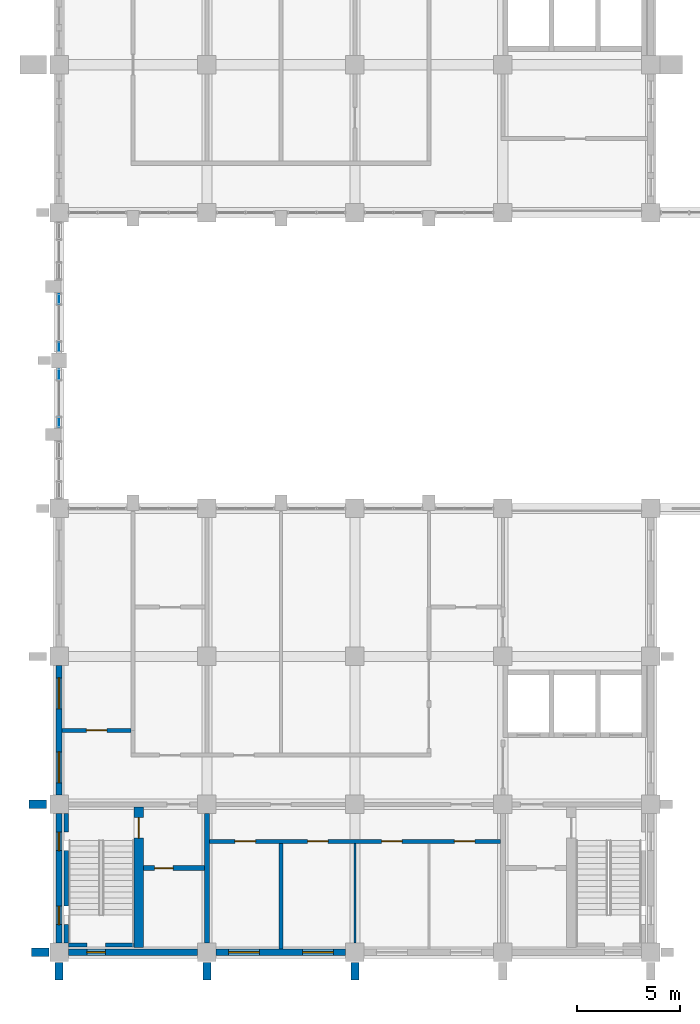
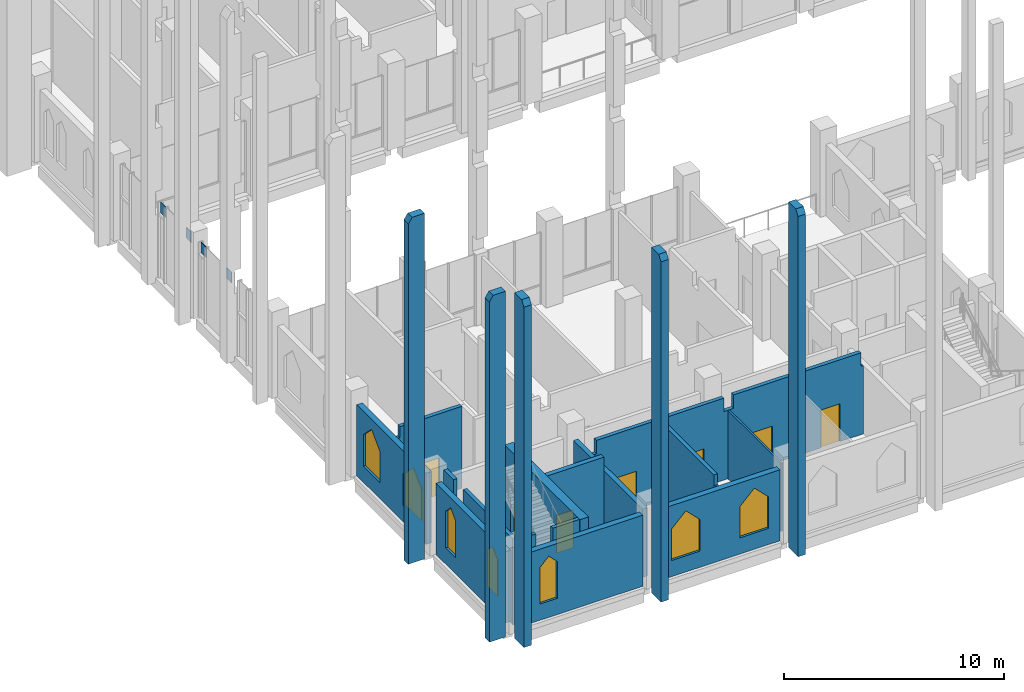
# One storey, part 27 of 40: 21 walls, 7 doors, 7 windows, 4 plates, 14 openings, 2 elements without a shape of their own.
"""IFC4 building model written with IfcOpenShell, lengths in metres."""

from ifc_helpers import new_model, si_unit, direction, frame, frame_2d, origin, origin_2d, place, context, subcontext, project, spatial, polyline, rectangle, outline, extrude, material, layer, layer_set, type_object, element, fill, aggregate, save


model = new_model("IFC4")

# Units and contexts
model_context = context("Model", 3, precision=1e-05, world=origin(), true_north=direction((0.0, 1.0)))
body_context = subcontext(model_context, "Body", "Model", "MODEL_VIEW")
ifc_project = project(units=[si_unit("LENGTHUNIT", "METRE"), si_unit("AREAUNIT", "SQUARE_METRE"), si_unit("VOLUMEUNIT", "CUBIC_METRE"), si_unit("PLANEANGLEUNIT", "RADIAN"), si_unit("MASSUNIT", "GRAM", prefix="KILO")], contexts=[model_context])

# Site, building, storey
site_placement = place(None, origin())
site = spatial("IfcSite", under=ifc_project, at=site_placement, CompositionType="ELEMENT")
building_placement = place(site_placement, origin())
building = spatial("IfcBuilding", under=site, at=building_placement, Name="Silangan Lancet Faculty of Sciences", CompositionType="ELEMENT")
storey_placement = place(building_placement, frame((0.0, 0.0, 21.60009765625)))
storey = spatial("IfcBuildingStorey", under=building, at=storey_placement, Name="L04", CompositionType="ELEMENT", Elevation=21.60009765625)

# Curtain wall, plates
ifc_material_1 = material(Name="Aluminium framed curtain wall with insulated glass", Category="aluminium")
curtain_wall_type = type_object("IfcCurtainWallType", Name="CW6 West window middle bays", PredefinedType="NOTDEFINED", material=ifc_material_1)
curtain_wall_1_placement = place(storey_placement, origin())
curtain_wall_1 = element("IfcCurtainWall", 1, at=curtain_wall_1_placement, inside=storey, type_object=curtain_wall_type, Name="CW6 West window L04 bay 2", PredefinedType="NOTDEFINED")
ifc_material_2 = material(Name="Insulated glass unit 8+16+8 low-emissivity", Category="glass")
ifc_layer_1 = layer(ifc_material_2, 0.031982421875)
ifc_layer_set_1 = layer_set([ifc_layer_1], Name="Insulated glass unit 8+16+8 low-emissivity")
plate_type = type_object("IfcPlateType", Name="CP1 Panel vision glass 32", PredefinedType="CURTAIN_PANEL", material=ifc_layer_set_1)
plate_1_placement = place(storey_placement, frame((0.0, 25.800048828125, 3.599853515625), z_axis=(0.0, 0.0, 1.0), x_axis=(0.0, 1.0, 0.0)))
plate_1 = element("IfcPlate", 2, at=plate_1_placement, type_object=plate_type, Name="CW6 West window L04 bay 2 panel 3", PredefinedType="CURTAIN_PANEL", context=body_context, shape_type="SweptSolid", body=[
    extrude(rectangle(XDim=0.449951171875, YDim=0.031982421875, at=origin_2d()), origin(), (0.0, 0.0, 1.0), 0.60009765625),
])
plate_2_placement = place(storey_placement, frame((0.0, 28.125, 3.599853515625), z_axis=(0.0, 0.0, 1.0), x_axis=(0.0, 1.0, 0.0)))
plate_2 = element("IfcPlate", 3, at=plate_2_placement, type_object=plate_type, Name="CW6 West window L04 bay 2 panel 4", PredefinedType="CURTAIN_PANEL", context=body_context, shape_type="SweptSolid", body=[
    extrude(rectangle(XDim=0.449951171875, YDim=0.031982421875, at=origin_2d()), origin(), (0.0, 0.0, 1.0), 0.60009765625),
])
aggregate(curtain_wall_1, [plate_1, plate_2])

curtain_wall_2_placement = place(storey_placement, origin())
curtain_wall_2 = element("IfcCurtainWall", 4, at=curtain_wall_2_placement, inside=storey, type_object=curtain_wall_type, Name="CW6 West window L04 bay 3", PredefinedType="NOTDEFINED")
plate_3_placement = place(storey_placement, frame((0.0, 29.47509765625, 3.599853515625), z_axis=(0.0, 0.0, 1.0), x_axis=(0.0, 1.0, 0.0)))
plate_3 = element("IfcPlate", 5, at=plate_3_placement, type_object=plate_type, Name="CW6 West window L04 bay 3 panel 3", PredefinedType="CURTAIN_PANEL", context=body_context, shape_type="SweptSolid", body=[
    extrude(rectangle(XDim=0.449951171875, YDim=0.031982421875, at=origin_2d()), origin(), (0.0, 0.0, 1.0), 0.60009765625),
])
plate_4_placement = place(storey_placement, frame((0.0, 31.7998046875, 3.599853515625), z_axis=(0.0, 0.0, 1.0), x_axis=(0.0, 1.0, 0.0)))
plate_4 = element("IfcPlate", 6, at=plate_4_placement, type_object=plate_type, Name="CW6 West window L04 bay 3 panel 4", PredefinedType="CURTAIN_PANEL", context=body_context, shape_type="SweptSolid", body=[
    extrude(rectangle(XDim=0.449951171875, YDim=0.031982421875, at=origin_2d()), origin(), (0.0, 0.0, 1.0), 0.60009765625),
])
aggregate(curtain_wall_2, [plate_3, plate_4])

# Wall, openings, windows
ifc_material_3 = material(Name="Concrete C40/50 precast", Category="concrete")
ifc_layer_2 = layer(ifc_material_3, 0.300048828125)
ifc_layer_set_2 = layer_set([ifc_layer_2], Name="Concrete C40/50 precast")
wall_type_1 = type_object("IfcWallType", Name="EW1 Precast cladding wall", PredefinedType="STANDARD", material=ifc_layer_set_2)
wall_1_placement = place(storey_placement, frame((0.0, 7.64990234375, 0.0), z_axis=(0.0, 0.0, 1.0), x_axis=(0.0, 1.0, 0.0)))
wall_1 = element("IfcWall", 7, at=wall_1_placement, inside=storey, type_object=wall_type_1, Name="EW-L04-W-ST-01", PredefinedType="STANDARD", context=body_context, shape_type="SweptSolid", body=[
    extrude(rectangle(XDim=6.300048828125, YDim=0.300048828125, at=frame_2d((3.14990234375, 0.0))), origin(), (0.0, 0.0, 1.0), 3.949951171875),
])
opening_1_placement = place(wall_1_placement, frame((0.60009765625, 0.0, 0.89990234375)))
opening_1 = element("IfcOpeningElement", 8, at=opening_1_placement, cuts=wall_1, Name="Opening W12", PredefinedType="OPENING", context=body_context, shape_type="SweptSolid", body=[
    extrude(outline(polyline([(0.0, 0.0), (1.5, 0.0), (1.5, 1.75), (0.75, 2.5), (0.0, 1.75), (0.0, 0.0)])), frame((0.0, 0.159912109375, 0.0), z_axis=(0.0, -1.0, 0.0), x_axis=(1.0, 0.0, 0.0)), (0.0, 0.0, 1.0), 0.320068359375),
])
opening_2_placement = place(wall_1_placement, frame((4.199951171875, 0.0, 0.89990234375)))
opening_2 = element("IfcOpeningElement", 9, at=opening_2_placement, cuts=wall_1, Name="Opening W12", PredefinedType="OPENING", context=body_context, shape_type="SweptSolid", body=[
    extrude(outline(polyline([(0.0, 0.0), (1.5, 0.0), (1.5, 1.75), (0.75, 2.5), (0.0, 1.75), (0.0, 0.0)])), frame((0.0, 0.159912109375, 0.0), z_axis=(0.0, -1.0, 0.0), x_axis=(1.0, 0.0, 0.0)), (0.0, 0.0, 1.0), 0.320068359375),
])
ifc_material_4 = material(Name="Aluminium frame, laminated double glazing", Category="aluminium")
window_type_1 = type_object("IfcWindowType", Name="W12 Lancet window 1500 x 2500", PartitioningType="SINGLE_PANEL", PredefinedType="WINDOW", material=ifc_material_4)
window_1_placement = place(opening_1_placement, origin())
window_1 = element("IfcWindow", 10, at=window_1_placement, inside=storey, type_object=window_type_1, Name="WIN-L04-W-ST-01a", OverallHeight=2.5, OverallWidth=1.5, PartitioningType="SINGLE_PANEL", PredefinedType="WINDOW", context=body_context, shape_type="SweptSolid", body=[
    extrude(outline(polyline([(0.0, 0.0), (1.5, 0.0), (1.5, 1.75), (0.75, 2.5), (0.0, 1.75), (0.0, 0.0)])), frame((0.0, 0.030029296875, 0.0), z_axis=(0.0, -1.0, 0.0), x_axis=(1.0, 0.0, 0.0)), (0.0, 0.0, 1.0), 0.06005859375),
])
fill(opening_1, window_1)
window_2_placement = place(opening_2_placement, origin())
window_2 = element("IfcWindow", 11, at=window_2_placement, inside=storey, type_object=window_type_1, Name="WIN-L04-W-ST-01b", OverallHeight=2.5, OverallWidth=1.5, PartitioningType="SINGLE_PANEL", PredefinedType="WINDOW", context=body_context, shape_type="SweptSolid", body=[
    extrude(outline(polyline([(0.0, 0.0), (1.5, 0.0), (1.5, 1.75), (0.75, 2.5), (0.0, 1.75), (0.0, 0.0)])), frame((0.0, 0.030029296875, 0.0), z_axis=(0.0, -1.0, 0.0), x_axis=(1.0, 0.0, 0.0)), (0.0, 0.0, 1.0), 0.06005859375),
])
fill(opening_2, window_2)

wall_2_placement = place(storey_placement, frame((7.64990234375, 0.0, 0.0), z_axis=(0.0, 0.0, 1.0), x_axis=(1.0, 0.0, 0.0)))
wall_2 = element("IfcWall", 12, at=wall_2_placement, inside=storey, type_object=wall_type_1, Name="EW-L04-S-ST-01", PredefinedType="STANDARD", context=body_context, shape_type="SweptSolid", body=[
    extrude(rectangle(XDim=6.300048828125, YDim=0.300048828125, at=frame_2d((3.14990234375, 0.0))), origin(), (0.0, 0.0, 1.0), 3.949951171875),
])
opening_3_placement = place(wall_2_placement, frame((0.60009765625, 0.0, 0.89990234375)))
opening_3 = element("IfcOpeningElement", 13, at=opening_3_placement, cuts=wall_2, Name="Opening W12", PredefinedType="OPENING", context=body_context, shape_type="SweptSolid", body=[
    extrude(outline(polyline([(0.0, 0.0), (1.5, 0.0), (1.5, 1.75), (0.75, 2.5), (0.0, 1.75), (0.0, 0.0)])), frame((0.0, 0.159912109375, 0.0), z_axis=(0.0, -1.0, 0.0), x_axis=(1.0, 0.0, 0.0)), (0.0, 0.0, 1.0), 0.320068359375),
])
opening_4_placement = place(wall_2_placement, frame((4.199951171875, 0.0, 0.89990234375)))
opening_4 = element("IfcOpeningElement", 14, at=opening_4_placement, cuts=wall_2, Name="Opening W12", PredefinedType="OPENING", context=body_context, shape_type="SweptSolid", body=[
    extrude(outline(polyline([(0.0, 0.0), (1.5, 0.0), (1.5, 1.75), (0.75, 2.5), (0.0, 1.75), (0.0, 0.0)])), frame((0.0, 0.159912109375, 0.0), z_axis=(0.0, -1.0, 0.0), x_axis=(1.0, 0.0, 0.0)), (0.0, 0.0, 1.0), 0.320068359375),
])
window_3_placement = place(opening_3_placement, origin())
window_3 = element("IfcWindow", 15, at=window_3_placement, inside=storey, type_object=window_type_1, Name="WIN-L04-S-ST-01a", OverallHeight=2.5, OverallWidth=1.5, PartitioningType="SINGLE_PANEL", PredefinedType="WINDOW", context=body_context, shape_type="SweptSolid", body=[
    extrude(outline(polyline([(0.0, 0.0), (1.5, 0.0), (1.5, 1.75), (0.75, 2.5), (0.0, 1.75), (0.0, 0.0)])), frame((0.0, 0.030029296875, 0.0), z_axis=(0.0, -1.0, 0.0), x_axis=(1.0, 0.0, 0.0)), (0.0, 0.0, 1.0), 0.06005859375),
])
fill(opening_3, window_3)
window_4_placement = place(opening_4_placement, origin())
window_4 = element("IfcWindow", 16, at=window_4_placement, inside=storey, type_object=window_type_1, Name="WIN-L04-S-ST-01b", OverallHeight=2.5, OverallWidth=1.5, PartitioningType="SINGLE_PANEL", PredefinedType="WINDOW", context=body_context, shape_type="SweptSolid", body=[
    extrude(outline(polyline([(0.0, 0.0), (1.5, 0.0), (1.5, 1.75), (0.75, 2.5), (0.0, 1.75), (0.0, 0.0)])), frame((0.0, 0.030029296875, 0.0), z_axis=(0.0, -1.0, 0.0), x_axis=(1.0, 0.0, 0.0)), (0.0, 0.0, 1.0), 0.06005859375),
])
fill(opening_4, window_4)

ifc_material_5 = material(Name="Concrete C40/50 precast", Category="concrete")
ifc_layer_3 = layer(ifc_material_5, 0.300048828125)
ifc_layer_set_3 = layer_set([ifc_layer_3], Name="Concrete C40/50 precast")
wall_type_2 = type_object("IfcWallType", Name="EW2 Turret enclosure wall", PredefinedType="STANDARD", material=ifc_layer_set_3)
wall_3_placement = place(storey_placement, frame((0.0, 0.449951171875, 0.0), z_axis=(0.0, 0.0, 1.0), x_axis=(0.0, 1.0, 0.0)))
wall_3 = element("IfcWall", 17, at=wall_3_placement, inside=storey, type_object=wall_type_2, Name="EW-L04-W-ST-00", PredefinedType="STANDARD", context=body_context, shape_type="SweptSolid", body=[
    extrude(rectangle(XDim=6.300048828125, YDim=0.300048828125, at=frame_2d((3.14990234375, 0.0))), origin(), (0.0, 0.0, 1.0), 3.949951171875),
])
opening_5_placement = place(wall_3_placement, frame((0.89990234375, 0.0, 0.89990234375)))
opening_5 = element("IfcOpeningElement", 18, at=opening_5_placement, cuts=wall_3, Name="Opening W11", PredefinedType="OPENING", context=body_context, shape_type="SweptSolid", body=[
    extrude(outline(polyline([(0.0, 0.0), (0.89990234375, 0.0), (0.89990234375, 2.050048828125), (0.449951171875, 2.5), (0.0, 2.050048828125), (0.0, 0.0)])), frame((0.0, 0.159912109375, 0.0), z_axis=(0.0, -1.0, 0.0), x_axis=(1.0, 0.0, 0.0)), (0.0, 0.0, 1.0), 0.320068359375),
])
opening_6_placement = place(wall_3_placement, frame((4.5, 0.0, 0.89990234375)))
opening_6 = element("IfcOpeningElement", 19, at=opening_6_placement, cuts=wall_3, Name="Opening W11", PredefinedType="OPENING", context=body_context, shape_type="SweptSolid", body=[
    extrude(outline(polyline([(0.0, 0.0), (0.89990234375, 0.0), (0.89990234375, 2.050048828125), (0.449951171875, 2.5), (0.0, 2.050048828125), (0.0, 0.0)])), frame((0.0, 0.159912109375, 0.0), z_axis=(0.0, -1.0, 0.0), x_axis=(1.0, 0.0, 0.0)), (0.0, 0.0, 1.0), 0.320068359375),
])
ifc_material_6 = material(Name="Aluminium frame, laminated double glazing", Category="aluminium")
window_type_2 = type_object("IfcWindowType", Name="W11 Lancet window 900 x 2500", PartitioningType="SINGLE_PANEL", PredefinedType="WINDOW", material=ifc_material_6)
window_5_placement = place(opening_5_placement, origin())
window_5 = element("IfcWindow", 20, at=window_5_placement, inside=storey, type_object=window_type_2, Name="WIN-L04-W-ST-00a", OverallHeight=2.5, OverallWidth=0.89990234375, PartitioningType="SINGLE_PANEL", PredefinedType="WINDOW", context=body_context, shape_type="SweptSolid", body=[
    extrude(outline(polyline([(0.0, 0.0), (0.89990234375, 0.0), (0.89990234375, 2.050048828125), (0.449951171875, 2.5), (0.0, 2.050048828125), (0.0, 0.0)])), frame((0.0, 0.030029296875, 0.0), z_axis=(0.0, -1.0, 0.0), x_axis=(1.0, 0.0, 0.0)), (0.0, 0.0, 1.0), 0.06005859375),
])
fill(opening_5, window_5)
window_6_placement = place(opening_6_placement, origin())
window_6 = element("IfcWindow", 21, at=window_6_placement, inside=storey, type_object=window_type_2, Name="WIN-L04-W-ST-00b", OverallHeight=2.5, OverallWidth=0.89990234375, PartitioningType="SINGLE_PANEL", PredefinedType="WINDOW", context=body_context, shape_type="SweptSolid", body=[
    extrude(outline(polyline([(0.0, 0.0), (0.89990234375, 0.0), (0.89990234375, 2.050048828125), (0.449951171875, 2.5), (0.0, 2.050048828125), (0.0, 0.0)])), frame((0.0, 0.030029296875, 0.0), z_axis=(0.0, -1.0, 0.0), x_axis=(1.0, 0.0, 0.0)), (0.0, 0.0, 1.0), 0.06005859375),
])
fill(opening_6, window_6)

# Wall, opening, window
wall_4_placement = place(storey_placement, frame((0.449951171875, 0.0, 0.0), z_axis=(0.0, 0.0, 1.0), x_axis=(1.0, 0.0, 0.0)))
wall_4 = element("IfcWall", 22, at=wall_4_placement, inside=storey, type_object=wall_type_2, Name="EW-L04-S-ST-00", PredefinedType="STANDARD", context=body_context, shape_type="SweptSolid", body=[
    extrude(rectangle(XDim=6.300048828125, YDim=0.300048828125, at=frame_2d((3.14990234375, 0.0))), origin(), (0.0, 0.0, 1.0), 3.949951171875),
])
opening_7_placement = place(wall_4_placement, frame((0.89990234375, 0.0, 0.89990234375)))
opening_7 = element("IfcOpeningElement", 23, at=opening_7_placement, cuts=wall_4, Name="Opening W11", PredefinedType="OPENING", context=body_context, shape_type="SweptSolid", body=[
    extrude(outline(polyline([(0.0, 0.0), (0.89990234375, 0.0), (0.89990234375, 2.050048828125), (0.449951171875, 2.5), (0.0, 2.050048828125), (0.0, 0.0)])), frame((0.0, 0.159912109375, 0.0), z_axis=(0.0, -1.0, 0.0), x_axis=(1.0, 0.0, 0.0)), (0.0, 0.0, 1.0), 0.320068359375),
])
window_7_placement = place(opening_7_placement, origin())
window_7 = element("IfcWindow", 24, at=window_7_placement, inside=storey, type_object=window_type_2, Name="WIN-L04-S-ST-00a", OverallHeight=2.5, OverallWidth=0.89990234375, PartitioningType="SINGLE_PANEL", PredefinedType="WINDOW", context=body_context, shape_type="SweptSolid", body=[
    extrude(outline(polyline([(0.0, 0.0), (0.89990234375, 0.0), (0.89990234375, 2.050048828125), (0.449951171875, 2.5), (0.0, 2.050048828125), (0.0, 0.0)])), frame((0.0, 0.030029296875, 0.0), z_axis=(0.0, -1.0, 0.0), x_axis=(1.0, 0.0, 0.0)), (0.0, 0.0, 1.0), 0.06005859375),
])
fill(opening_7, window_7)

# Walls
ifc_material_7 = material(Name="Concrete C40/50 precast", Category="concrete")
ifc_layer_4 = layer(ifc_material_7, 0.39990234375)
ifc_layer_set_4 = layer_set([ifc_layer_4], Name="Concrete C40/50 precast")
wall_type_3 = type_object("IfcWallType", Name="FN11 Buttress Fin column line stage 2 19200", PredefinedType="POLYGONAL", material=ifc_layer_set_4)
for number, where, z_axis, x_axis, name in (
    (25, (-0.5, 0.0, -0.25), (0.0, 0.0, 1.0), (-1.0, 0.0, 0.0), "FINC-W-ST-01-S2"),
    (26, (0.0, -0.5, -0.25), (0.0, 0.0, 1.0), (0.0, -1.0, 0.0), "FINC-S-ST-01-S2"),
    (27, (7.199951171875, -0.5, -0.25), (0.0, 0.0, 1.0), (0.0, -1.0, 0.0), "FINC-S-ST-02-S2"),
    (28, (14.39990234375, -0.5, -0.25), (0.0, 0.0, 1.0), (0.0, -1.0, 0.0), "FINC-S-ST-03-S2"),
):
    element("IfcWall", number, at=place(storey_placement, frame(where, z_axis=z_axis, x_axis=x_axis)), inside=storey, type_object=wall_type_3, Name=name, PredefinedType="POLYGONAL", context=body_context, shape_type="SweptSolid", body=[
        extrude(outline(polyline([(0.85009765625, 0.0), (0.85009765625, 18.89990234375), (0.64990234375, 19.199951171875), (0.0, 19.199951171875), (0.0, 0.0), (0.85009765625, 0.0)])), frame((0.0, 0.199951171875, 0.0), z_axis=(0.0, -1.0, 0.0), x_axis=(1.0, 0.0, 0.0)), (0.0, 0.0, 1.0), 0.39990234375),
    ])
ifc_material_8 = material(Name="Concrete C40/50 precast", Category="concrete")
ifc_layer_5 = layer(ifc_material_8, 0.39990234375)
ifc_layer_set_5 = layer_set([ifc_layer_5], Name="Concrete C40/50 precast")
wall_type_4 = type_object("IfcWallType", Name="FN15 Buttress Fin column line stage 2 19200", PredefinedType="POLYGONAL", material=ifc_layer_set_5)
wall_5_placement = place(storey_placement, frame((-0.60009765625, 7.199951171875, -0.25), z_axis=(0.0, 0.0, 1.0), x_axis=(-1.0, 0.0, 0.0)))
element("IfcWall", 29, at=wall_5_placement, inside=storey, type_object=wall_type_4, Name="FINC-W-ST-02-S2", PredefinedType="POLYGONAL", context=body_context, shape_type="SweptSolid", body=[
    extrude(outline(polyline([(0.85009765625, 0.0), (0.85009765625, 18.89990234375), (0.64990234375, 19.199951171875), (0.0, 19.199951171875), (0.0, 0.0), (0.85009765625, 0.0)])), frame((0.0, 0.199951171875, 0.0), z_axis=(0.0, -1.0, 0.0), x_axis=(1.0, 0.0, 0.0)), (0.0, 0.0, 1.0), 0.39990234375),
])

# Wall, openings, doors
ifc_material_9 = material(Name="Hollow block masonry fm 7 MPa", Category="masonry")
ifc_layer_6 = layer(ifc_material_9, 0.199951171875)
ifc_layer_set_6 = layer_set([ifc_layer_6], Name="Hollow block masonry fm 7 MPa")
wall_type_5 = type_object("IfcWallType", Name="Interior wall PW1 Corridor wall CHB 200", PredefinedType="PARTITIONING", material=ifc_layer_set_6)
wall_6_placement = place(storey_placement, frame((7.324951171875, 5.39990234375, 0.0), z_axis=(0.0, 0.0, 1.0), x_axis=(1.0, 0.0, 0.0)))
wall_6 = element("IfcWall", 30, at=wall_6_placement, inside=storey, type_object=wall_type_5, Name="Corridor wall CHB 200", PredefinedType="PARTITIONING", context=body_context, shape_type="SweptSolid", body=[
    extrude(outline(polyline([(0.0, 0.0), (14.150146484375, 0.0), (14.150146484375, 3.7998046875), (14.02490234375, 3.7998046875), (14.02490234375, 4.5498046875), (7.324951171875, 4.5498046875), (7.324951171875, 3.7998046875), (6.824951171875, 3.7998046875), (6.824951171875, 4.5498046875), (0.125, 4.5498046875), (0.125, 3.7998046875), (0.0, 3.7998046875), (0.0, 0.0)])), frame((0.0, 0.10009765625, 0.0), z_axis=(0.0, -1.0, 0.0), x_axis=(1.0, 0.0, 0.0)), (0.0, 0.0, 1.0), 0.199951171875),
])
opening_8_placement = place(wall_6_placement, frame((1.237548828125, 0.0, 0.0)))
opening_8 = element("IfcOpeningElement", 31, at=opening_8_placement, cuts=wall_6, Name="Opening L04-009", PredefinedType="OPENING", context=body_context, shape_type="SweptSolid", body=[
    extrude(rectangle(XDim=1.0, YDim=2.10009765625, at=frame_2d((0.5, 1.050048828125))), frame((0.0, 0.10986328125, 0.0), z_axis=(0.0, -1.0, 0.0), x_axis=(1.0, 0.0, 0.0)), (0.0, 0.0, 1.0), 0.219970703125),
])
opening_9_placement = place(wall_6_placement, frame((4.77490234375, 0.0, 0.0)))
opening_9 = element("IfcOpeningElement", 32, at=opening_9_placement, cuts=wall_6, Name="Opening L04-010", PredefinedType="OPENING", context=body_context, shape_type="SweptSolid", body=[
    extrude(rectangle(XDim=1.0, YDim=2.10009765625, at=frame_2d((0.5, 1.050048828125))), frame((0.0, 0.10986328125, 0.0), z_axis=(0.0, -1.0, 0.0), x_axis=(1.0, 0.0, 0.0)), (0.0, 0.0, 1.0), 0.219970703125),
])
opening_10_placement = place(wall_6_placement, frame((8.375, 0.0, 0.0)))
opening_10 = element("IfcOpeningElement", 33, at=opening_10_placement, cuts=wall_6, Name="Opening L04-011", PredefinedType="OPENING", context=body_context, shape_type="SweptSolid", body=[
    extrude(rectangle(XDim=1.0, YDim=2.10009765625, at=frame_2d((0.5, 1.050048828125))), frame((0.0, 0.10986328125, 0.0), z_axis=(0.0, -1.0, 0.0), x_axis=(1.0, 0.0, 0.0)), (0.0, 0.0, 1.0), 0.219970703125),
])
opening_11_placement = place(wall_6_placement, frame((11.91259765625, 0.0, 0.0)))
opening_11 = element("IfcOpeningElement", 34, at=opening_11_placement, cuts=wall_6, Name="Opening L04-012", PredefinedType="OPENING", context=body_context, shape_type="SweptSolid", body=[
    extrude(rectangle(XDim=1.0, YDim=2.10009765625, at=frame_2d((0.5, 1.050048828125))), frame((0.0, 0.10986328125, 0.0), z_axis=(0.0, -1.0, 0.0), x_axis=(1.0, 0.0, 0.0)), (0.0, 0.0, 1.0), 0.219970703125),
])
ifc_material_10 = material(Name="Steel fire door set", Category="steel")
door_type_1 = type_object("IfcDoorType", Name="Door D1 Single leaf fire door 1000 x 2100", OperationType="SINGLE_SWING_LEFT", PredefinedType="DOOR", material=ifc_material_10)
door_1_placement = place(opening_8_placement, frame((1.0, 0.0, 0.0), z_axis=(0.0, 0.0, 1.0), x_axis=(-1.0, 0.0, 0.0)))
door_1 = element("IfcDoor", 35, at=door_1_placement, inside=storey, type_object=door_type_1, Name="Single leaf fire door 1000 x 2100", OperationType="SINGLE_SWING_LEFT", OverallHeight=2.10009765625, OverallWidth=1.0, PredefinedType="DOOR", context=body_context, shape_type="SweptSolid", body=[
    extrude(rectangle(XDim=1.0, YDim=2.10009765625, at=frame_2d((0.5, 1.050048828125))), frame((0.0, 0.025146484375, 0.0), z_axis=(0.0, -1.0, 0.0), x_axis=(1.0, 0.0, 0.0)), (0.0, 0.0, 1.0), 0.050048828125),
])
fill(opening_8, door_1)
door_2_placement = place(opening_9_placement, frame((1.0, 0.0, 0.0), z_axis=(0.0, 0.0, 1.0), x_axis=(-1.0, 0.0, 0.0)))
door_2 = element("IfcDoor", 36, at=door_2_placement, inside=storey, type_object=door_type_1, Name="Single leaf fire door 1000 x 2100", OperationType="SINGLE_SWING_RIGHT", OverallHeight=2.10009765625, OverallWidth=1.0, PredefinedType="DOOR", context=body_context, shape_type="SweptSolid", body=[
    extrude(rectangle(XDim=1.0, YDim=2.10009765625, at=frame_2d((0.5, 1.050048828125))), frame((0.0, 0.025146484375, 0.0), z_axis=(0.0, -1.0, 0.0), x_axis=(1.0, 0.0, 0.0)), (0.0, 0.0, 1.0), 0.050048828125),
])
fill(opening_9, door_2)
door_3_placement = place(opening_10_placement, frame((1.0, 0.0, 0.0), z_axis=(0.0, 0.0, 1.0), x_axis=(-1.0, 0.0, 0.0)))
door_3 = element("IfcDoor", 37, at=door_3_placement, inside=storey, type_object=door_type_1, Name="Single leaf fire door 1000 x 2100", OperationType="SINGLE_SWING_LEFT", OverallHeight=2.10009765625, OverallWidth=1.0, PredefinedType="DOOR", context=body_context, shape_type="SweptSolid", body=[
    extrude(rectangle(XDim=1.0, YDim=2.10009765625, at=frame_2d((0.5, 1.050048828125))), frame((0.0, 0.025146484375, 0.0), z_axis=(0.0, -1.0, 0.0), x_axis=(1.0, 0.0, 0.0)), (0.0, 0.0, 1.0), 0.050048828125),
])
fill(opening_10, door_3)
door_4_placement = place(opening_11_placement, frame((1.0, 0.0, 0.0), z_axis=(0.0, 0.0, 1.0), x_axis=(-1.0, 0.0, 0.0)))
door_4 = element("IfcDoor", 38, at=door_4_placement, inside=storey, type_object=door_type_1, Name="Single leaf fire door 1000 x 2100", OperationType="SINGLE_SWING_RIGHT", OverallHeight=2.10009765625, OverallWidth=1.0, PredefinedType="DOOR", context=body_context, shape_type="SweptSolid", body=[
    extrude(rectangle(XDim=1.0, YDim=2.10009765625, at=frame_2d((0.5, 1.050048828125))), frame((0.0, 0.025146484375, 0.0), z_axis=(0.0, -1.0, 0.0), x_axis=(1.0, 0.0, 0.0)), (0.0, 0.0, 1.0), 0.050048828125),
])
fill(opening_11, door_4)

# Wall, opening, door
wall_7_placement = place(storey_placement, frame((0.14990234375, 10.800048828125, 0.0), z_axis=(0.0, 0.0, 1.0), x_axis=(1.0, 0.0, 0.0)))
wall_7 = element("IfcWall", 39, at=wall_7_placement, inside=storey, type_object=wall_type_5, Name="Corridor wall CHB 200", PredefinedType="PARTITIONING", context=body_context, shape_type="SweptSolid", body=[
    extrude(outline(polyline([(0.0, 0.0), (3.35009765625, 0.0), (3.35009765625, 4.5498046875), (0.10009765625, 4.5498046875), (0.10009765625, 3.949951171875), (0.0, 3.949951171875), (0.0, 0.0)])), frame((0.0, 0.10009765625, 0.0), z_axis=(0.0, -1.0, 0.0), x_axis=(1.0, 0.0, 0.0)), (0.0, 0.0, 1.0), 0.199951171875),
])
opening_12_placement = place(wall_7_placement, frame((1.175048828125, 0.0, 0.0)))
opening_12 = element("IfcOpeningElement", 40, at=opening_12_placement, cuts=wall_7, Name="Opening L04-015", PredefinedType="OPENING", context=body_context, shape_type="SweptSolid", body=[
    extrude(rectangle(XDim=1.0, YDim=2.10009765625, at=frame_2d((0.5, 1.050048828125))), frame((0.0, 0.10986328125, 0.0), z_axis=(0.0, -1.0, 0.0), x_axis=(1.0, 0.0, 0.0)), (0.0, 0.0, 1.0), 0.219970703125),
])
door_5_placement = place(opening_12_placement, origin())
door_5 = element("IfcDoor", 41, at=door_5_placement, inside=storey, type_object=door_type_1, Name="Single leaf fire door 1000 x 2100", OperationType="SINGLE_SWING_RIGHT", OverallHeight=2.10009765625, OverallWidth=1.0, PredefinedType="DOOR", context=body_context, shape_type="SweptSolid", body=[
    extrude(rectangle(XDim=1.0, YDim=2.10009765625, at=frame_2d((0.5, 1.050048828125))), frame((0.0, 0.02490234375, 0.0), z_axis=(0.0, -1.0, 0.0), x_axis=(1.0, 0.0, 0.0)), (0.0, 0.0, 1.0), 0.050048828125),
])
fill(opening_12, door_5)

# Walls
ifc_material_11 = material(Name="Hollow block masonry fm 7 MPa", Category="masonry")
ifc_layer_7 = layer(ifc_material_11, 0.199951171875)
ifc_layer_set_7 = layer_set([ifc_layer_7], Name="Hollow block masonry fm 7 MPa")
wall_type_6 = type_object("IfcWallType", Name="Interior wall PW4 Laboratory separation CHB 200", PredefinedType="PARTITIONING", material=ifc_layer_set_7)
wall_8_placement = place(storey_placement, frame((10.800048828125, 0.14990234375, 0.0), z_axis=(0.0, 0.0, 1.0), x_axis=(0.0, 1.0, 0.0)))
element("IfcWall", 42, at=wall_8_placement, inside=storey, type_object=wall_type_6, Name="Laboratory separation CHB 200", PredefinedType="PARTITIONING", context=body_context, shape_type="SweptSolid", body=[
    extrude(outline(polyline([(0.0, 0.0), (5.150146484375, 0.0), (5.150146484375, 4.5498046875), (0.10009765625, 4.5498046875), (0.10009765625, 3.949951171875), (0.0, 3.949951171875), (0.0, 0.0)])), frame((0.0, 0.10009765625, 0.0), z_axis=(0.0, -1.0, 0.0), x_axis=(1.0, 0.0, 0.0)), (0.0, 0.0, 1.0), 0.199951171875),
])
ifc_material_12 = material(Name="Hollow block masonry fm 7 MPa", Category="masonry")
ifc_layer_8 = layer(ifc_material_12, 0.10009765625)
ifc_layer_set_8 = layer_set([ifc_layer_8], Name="Hollow block masonry fm 7 MPa")
wall_type_7 = type_object("IfcWallType", Name="Interior wall PW8 WC partition CHB 100", PredefinedType="PARTITIONING", material=ifc_layer_set_8)
wall_9_placement = place(storey_placement, frame((14.39990234375, 0.449951171875, 0.0), z_axis=(0.0, 0.0, 1.0), x_axis=(0.0, 1.0, 0.0)))
element("IfcWall", 43, at=wall_9_placement, inside=storey, type_object=wall_type_7, Name="WC partition CHB 100", PredefinedType="PARTITIONING", context=body_context, shape_type="SweptSolid", body=[
    extrude(rectangle(XDim=4.85009765625, YDim=0.10009765625, at=frame_2d((2.425048828125, 0.0))), origin(), (0.0, 0.0, 1.0), 3.7998046875),
])

# Wall, opening, door
ifc_material_13 = material(Name="Concrete C40/50", Category="concrete")
ifc_layer_9 = layer(ifc_material_13, 0.449951171875)
ifc_layer_set_9 = layer_set([ifc_layer_9], Name="Concrete C40/50")
wall_type_8 = type_object("IfcWallType", Name="TURRET CORE WALL RC 450", PredefinedType="SHEAR", material=ifc_layer_set_9)
wall_10_placement = place(storey_placement, frame((3.875, 0.22509765625, 0.0), z_axis=(0.0, 0.0, 1.0), x_axis=(0.0, 1.0, 0.0)))
wall_10 = element("IfcWall", 44, at=wall_10_placement, inside=storey, type_object=wall_type_8, Name="WALL-L04-ST-A-WELL", PredefinedType="SHEAR", context=body_context, shape_type="SweptSolid", body=[
    extrude(rectangle(XDim=6.849853515625, YDim=0.449951171875, at=frame_2d((3.4248046875, 0.0))), origin(), (0.0, 0.0, 1.0), 4.5498046875),
])
opening_13_placement = place(wall_10_placement, frame((5.324951171875, 0.0, 0.0)))
opening_13 = element("IfcOpeningElement", 45, at=opening_13_placement, cuts=wall_10, Name="Opening L04-713", PredefinedType="OPENING", context=body_context, shape_type="SweptSolid", body=[
    extrude(rectangle(XDim=1.0, YDim=2.10009765625, at=frame_2d((0.5, 1.050048828125))), frame((0.0, 0.23486328125, 0.0), z_axis=(0.0, -1.0, 0.0), x_axis=(1.0, 0.0, 0.0)), (0.0, 0.0, 1.0), 0.469970703125),
])
ifc_material_14 = material(Name="Steel fire door set", Category="steel")
door_type_2 = type_object("IfcDoorType", Name="D71 Stair enclosure door 1000x2100", OperationType="SINGLE_SWING_LEFT", PredefinedType="DOOR", material=ifc_material_14)
door_6_placement = place(opening_13_placement, origin())
door_6 = element("IfcDoor", 46, at=door_6_placement, inside=storey, type_object=door_type_2, Name="Stair enclosure door ST-A L04", OperationType="SINGLE_SWING_RIGHT", OverallHeight=2.10009765625, OverallWidth=1.0, PredefinedType="DOOR", context=body_context, shape_type="SweptSolid", body=[
    extrude(rectangle(XDim=1.0, YDim=2.10009765625, at=frame_2d((0.5, 1.050048828125))), frame((0.0, 0.02490234375, 0.0), z_axis=(0.0, -1.0, 0.0), x_axis=(1.0, 0.0, 0.0)), (0.0, 0.0, 1.0), 0.050048828125),
])
fill(opening_13, door_6)

# Walls
ifc_material_15 = material(Name="Concrete C40/50", Category="concrete")
ifc_layer_10 = layer(ifc_material_15, 0.199951171875)
ifc_layer_set_10 = layer_set([ifc_layer_10], Name="Concrete C40/50")
wall_type_9 = type_object("IfcWallType", Name="TURRET LINING WALL RC 200", PredefinedType="SHEAR", material=ifc_layer_set_10)
wall_11_placement = place(storey_placement, frame((0.35009765625, 0.449951171875, -0.25), z_axis=(0.0, 0.0, 1.0), x_axis=(0.0, 1.0, 0.0)))
element("IfcWall", 47, at=wall_11_placement, inside=storey, type_object=wall_type_9, Name="WALL-L04-ST-A-WL", PredefinedType="SHEAR", context=body_context, shape_type="SweptSolid", body=[
    extrude(rectangle(XDim=0.900146484375, YDim=0.199951171875, at=frame_2d((0.4501953125, 0.0))), origin(), (0.0, 0.0, 1.0), 4.7998046875),
])
wall_12_placement = place(storey_placement, frame((0.35009765625, 2.25, -0.25), z_axis=(0.0, 0.0, 1.0), x_axis=(0.0, 1.0, 0.0)))
element("IfcWall", 48, at=wall_12_placement, inside=storey, type_object=wall_type_9, Name="WALL-L04-ST-A-WL-2", PredefinedType="SHEAR", context=body_context, shape_type="SweptSolid", body=[
    extrude(rectangle(XDim=2.699951171875, YDim=0.199951171875, at=frame_2d((1.35009765625, 0.0))), origin(), (0.0, 0.0, 1.0), 4.7998046875),
])
wall_13_placement = place(storey_placement, frame((0.35009765625, 5.85009765625, -0.25), z_axis=(0.0, 0.0, 1.0), x_axis=(0.0, 1.0, 0.0)))
element("IfcWall", 49, at=wall_13_placement, inside=storey, type_object=wall_type_9, Name="WALL-L04-ST-A-WL-3", PredefinedType="SHEAR", context=body_context, shape_type="SweptSolid", body=[
    extrude(rectangle(XDim=0.89990234375, YDim=0.199951171875, at=frame_2d((0.449951171875, 0.0))), origin(), (0.0, 0.0, 1.0), 4.7998046875),
])
wall_14_placement = place(storey_placement, frame((0.449951171875, 0.35009765625, -0.25), z_axis=(0.0, 0.0, 1.0), x_axis=(1.0, 0.0, 0.0)))
element("IfcWall", 50, at=wall_14_placement, inside=storey, type_object=wall_type_9, Name="WALL-L04-ST-A-WLD", PredefinedType="SHEAR", context=body_context, shape_type="SweptSolid", body=[
    extrude(rectangle(XDim=0.900146484375, YDim=0.199951171875, at=frame_2d((0.4501953125, 0.0))), origin(), (0.0, 0.0, 1.0), 4.7998046875),
])
wall_15_placement = place(storey_placement, frame((2.25, 0.35009765625, -0.25), z_axis=(0.0, 0.0, 1.0), x_axis=(1.0, 0.0, 0.0)))
element("IfcWall", 51, at=wall_15_placement, inside=storey, type_object=wall_type_9, Name="WALL-L04-ST-A-WLD-2", PredefinedType="SHEAR", context=body_context, shape_type="SweptSolid", body=[
    extrude(rectangle(XDim=1.39990234375, YDim=0.199951171875, at=frame_2d((0.699951171875, 0.0))), origin(), (0.0, 0.0, 1.0), 4.7998046875),
])
ifc_material_16 = material(Name="Concrete C40/50", Category="concrete")
ifc_layer_11 = layer(ifc_material_16, 0.25)
ifc_layer_set_11 = layer_set([ifc_layer_11], Name="Concrete C40/50")
wall_type_10 = type_object("IfcWallType", Name="TURRET WALL RC 250", PredefinedType="SHEAR", material=ifc_layer_set_11)
wall_16_placement = place(storey_placement, frame((7.199951171875, 0.449951171875, 0.0), z_axis=(0.0, 0.0, 1.0), x_axis=(0.0, 1.0, 0.0)))
element("IfcWall", 52, at=wall_16_placement, inside=storey, type_object=wall_type_10, Name="WALL-L04-ST-A-O", PredefinedType="SHEAR", context=body_context, shape_type="SweptSolid", body=[
    extrude(rectangle(XDim=6.300048828125, YDim=0.25, at=frame_2d((3.14990234375, 0.0))), origin(), (0.0, 0.0, 1.0), 3.7998046875),
])

# Wall, opening, door
wall_17_placement = place(storey_placement, frame((4.10009765625, 4.10009765625, 0.0), z_axis=(0.0, 0.0, 1.0), x_axis=(1.0, 0.0, 0.0)))
wall_17 = element("IfcWall", 53, at=wall_17_placement, inside=storey, type_object=wall_type_10, Name="WALL-L04-ST-A-RISER", PredefinedType="SHEAR", context=body_context, shape_type="SweptSolid", body=[
    extrude(rectangle(XDim=2.974853515625, YDim=0.25, at=frame_2d((1.4873046875, 0.0))), origin(), (0.0, 0.0, 1.0), 4.5498046875),
])
opening_14_placement = place(wall_17_placement, frame((0.550048828125, 0.0, 0.0)))
opening_14 = element("IfcOpeningElement", 54, at=opening_14_placement, cuts=wall_17, Name="Opening L04-715", PredefinedType="OPENING", context=body_context, shape_type="SweptSolid", body=[
    extrude(rectangle(XDim=0.89990234375, YDim=2.10009765625, at=frame_2d((0.449951171875, 1.050048828125))), frame((0.0, 0.135009765625, 0.0), z_axis=(0.0, -1.0, 0.0), x_axis=(1.0, 0.0, 0.0)), (0.0, 0.0, 1.0), 0.27001953125),
])
ifc_material_17 = material(Name="Steel fire door set", Category="steel")
door_type_3 = type_object("IfcDoorType", Name="D72 Riser access door 900x2100", OperationType="SINGLE_SWING_LEFT", PredefinedType="DOOR", material=ifc_material_17)
door_7_placement = place(opening_14_placement, frame((0.89990234375, 0.0, 0.0), z_axis=(0.0, 0.0, 1.0), x_axis=(-1.0, 0.0, 0.0)))
door_7 = element("IfcDoor", 55, at=door_7_placement, inside=storey, type_object=door_type_3, Name="Riser access door ST-A L04", OperationType="SINGLE_SWING_LEFT", OverallHeight=2.10009765625, OverallWidth=0.89990234375, PredefinedType="DOOR", context=body_context, shape_type="SweptSolid", body=[
    extrude(rectangle(XDim=0.89990234375, YDim=2.10009765625, at=frame_2d((0.449951171875, 1.050048828125))), frame((0.0, 0.025146484375, 0.0), z_axis=(0.0, -1.0, 0.0), x_axis=(1.0, 0.0, 0.0)), (0.0, 0.0, 1.0), 0.050048828125),
])
fill(opening_14, door_7)

save(model, "model.ifc")
